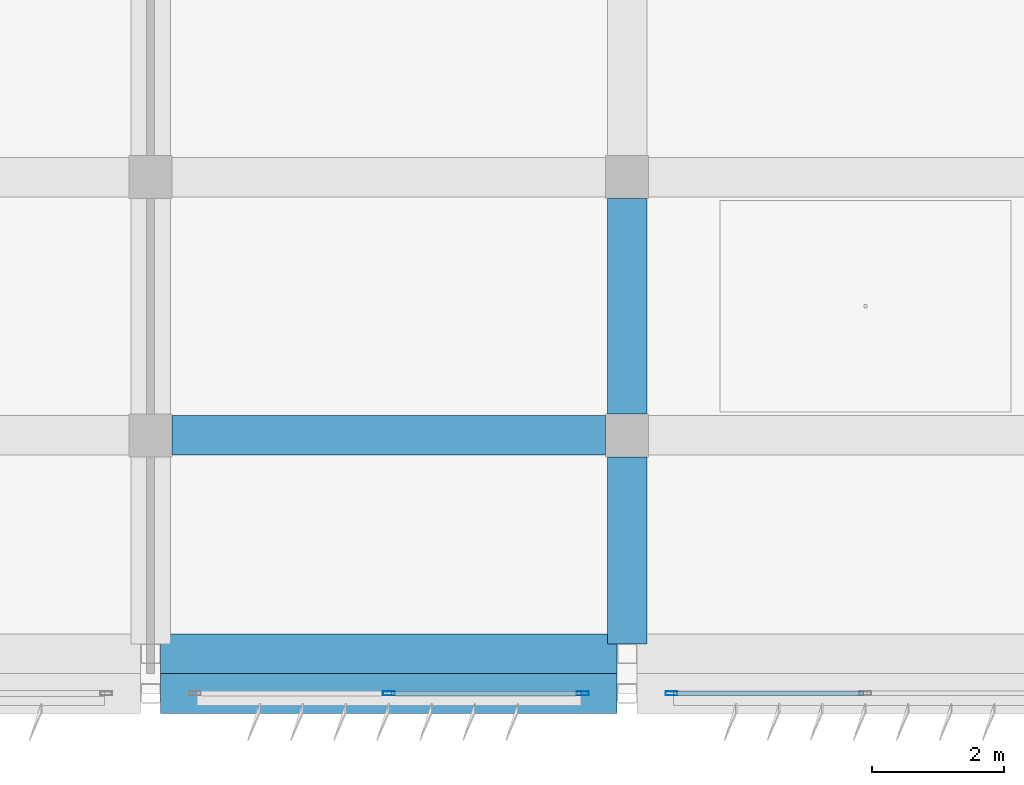
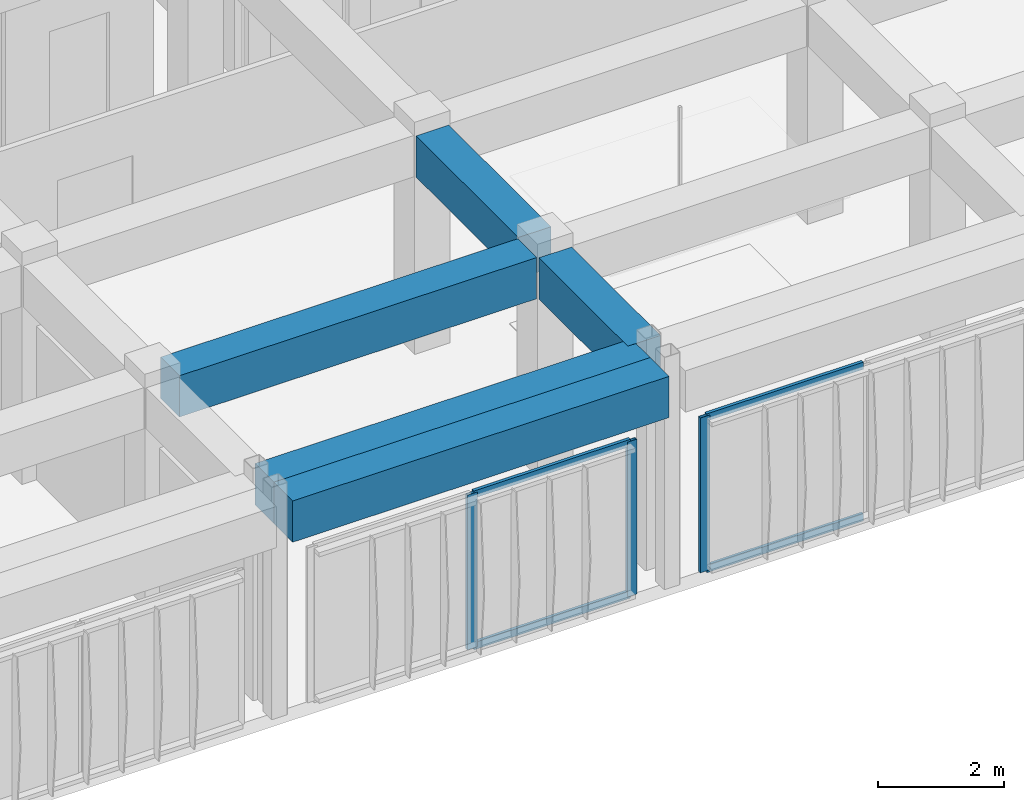
# One storey, part 9 of 56: 7 members, 5 beams, 2 elements without a shape of their own.
"""IFC4 building model written with IfcOpenShell, lengths in metres."""

from ifc_helpers import new_model, si_unit, direction, frame, origin, origin_2d, place, context, subcontext, project, spatial, rectangle, hollow_rectangle, extrude, material, material_profile, profile_set, type_object, element, aggregate, save


model = new_model("IFC4")

# Units and contexts
model_context = context("Model", 3, precision=1e-05, world=origin(), true_north=direction((0.0, 1.0)))
body_context = subcontext(model_context, "Body", "Model", "MODEL_VIEW")
ifc_project = project(units=[si_unit("LENGTHUNIT", "METRE"), si_unit("AREAUNIT", "SQUARE_METRE"), si_unit("VOLUMEUNIT", "CUBIC_METRE"), si_unit("PLANEANGLEUNIT", "RADIAN"), si_unit("MASSUNIT", "GRAM", prefix="KILO")], contexts=[model_context])

# Site, building, storey
site_placement = place(None, origin())
site = spatial("IfcSite", under=ifc_project, at=site_placement, CompositionType="ELEMENT")
building_placement = place(site_placement, origin())
building = spatial("IfcBuilding", under=site, at=building_placement, Name="Kazehaya Institute of Natural Sciences", CompositionType="ELEMENT")
storey_placement = place(building_placement, frame((0.0, 0.0, 28.800048828125)))
storey = spatial("IfcBuildingStorey", under=building, at=storey_placement, Name="L06", CompositionType="ELEMENT", Elevation=28.800048828125)

# Beams
ifc_material_1 = material(Name="Concrete Fc36", Category="concrete")
ifc_material_profile_1 = material_profile(ifc_material_1, rectangle(XDim=0.60009765625, YDim=0.800048828125, at=origin_2d()), Name="RC-600x800")
ifc_profile_set_1 = profile_set([ifc_material_profile_1], Name="Concrete Fc36")
beam_type = type_object("IfcBeamType", Name="BM-G-600x800", PredefinedType="BEAM", material=ifc_profile_set_1)
for number, where, z_axis, x_axis, name in (
    (1, (76.35009765625, 6.199951171875, 3.829833984375), (1.0, 0.0, 0.0), (0.0, 1.0, 0.0), "L06 primary X girder BMX-L06-762-62"),
    (2, (76.35009765625, 6.800048828125, 3.829833984375), (1.0, 0.0, 0.0), (0.0, 1.0, 0.0), "L06 primary X girder BMX-L06-762-68"),
):
    element("IfcBeam", number, at=place(storey_placement, frame(where, z_axis=z_axis, x_axis=x_axis)), inside=storey, type_object=beam_type, Name=name, PredefinedType="BEAM", context=body_context, shape_type="SweptSolid", body=[
        extrude(rectangle(XDim=0.60009765625, YDim=0.800048828125, at=origin_2d()), origin(), (0.0, 0.0, 1.0), 6.89990234375),
    ])
beam_1_placement = place(storey_placement, frame((76.52490234375, 10.10009765625, 3.829833984375), z_axis=(1.0, 0.0, 0.0), x_axis=(0.0, 1.0, 0.0)))
element("IfcBeam", 3, at=beam_1_placement, inside=storey, type_object=beam_type, Name="L06 primary X girder BMX-L06-762-101", PredefinedType="BEAM", context=body_context, shape_type="SweptSolid", body=[
    extrude(rectangle(XDim=0.60009765625, YDim=0.800048828125, at=origin_2d()), origin(), (0.0, 0.0, 1.0), 6.550048828125),
])
beam_2_placement = place(storey_placement, frame((83.39990234375, 6.949951171875, 3.829833984375), z_axis=(0.0, 1.0, 0.0), x_axis=(-1.0, 0.0, 0.0)))
element("IfcBeam", 4, at=beam_2_placement, inside=storey, type_object=beam_type, Name="L06 primary Y girder BMY-L06-834-68", PredefinedType="BEAM", context=body_context, shape_type="SweptSolid", body=[
    extrude(rectangle(XDim=0.60009765625, YDim=0.800048828125, at=origin_2d()), origin(), (0.0, 0.0, 1.0), 2.824951171875),
])
beam_3_placement = place(storey_placement, frame((83.39990234375, 10.425048828125, 3.829833984375), z_axis=(0.0, 1.0, 0.0), x_axis=(-1.0, 0.0, 0.0)))
element("IfcBeam", 5, at=beam_3_placement, inside=storey, type_object=beam_type, Name="L06 primary Y girder BMY-L06-834-101", PredefinedType="BEAM", context=body_context, shape_type="SweptSolid", body=[
    extrude(rectangle(XDim=0.60009765625, YDim=0.800048828125, at=origin_2d()), origin(), (0.0, 0.0, 1.0), 3.25),
])

# Curtain wall, member
ifc_material_2 = material(Name="Aluminium alloy A6063S-T5", Category="aluminium")
curtain_wall_type = type_object("IfcCurtainWallType", Name="CW-SYS-04", PredefinedType="NOTDEFINED", material=ifc_material_2)
curtain_wall_1_placement = place(storey_placement, origin())
curtain_wall_1 = element("IfcCurtainWall", 6, at=curtain_wall_1_placement, inside=storey, type_object=curtain_wall_type, Name="L06 unitised curtain wall CW-L06-124", PredefinedType="NOTDEFINED")
ifc_material_profile_2 = material_profile(ifc_material_2, hollow_rectangle(XDim=0.06005859375, YDim=0.179931640625, WallThickness=0.00390625, at=origin_2d()), Name="ALU-60x180x4")
ifc_profile_set_2 = profile_set([ifc_material_profile_2], Name="Aluminium alloy A6063S-T5")
member_type_1 = type_object("IfcMemberType", Name="CWM-180", PredefinedType="MULLION", material=ifc_profile_set_2)
member_1_placement = place(storey_placement, frame((84.070068359375, 6.199951171875, 0.0), z_axis=(0.0, 0.0, 1.0), x_axis=(0.0, -1.0, 0.0)))
member_1 = element("IfcMember", 7, at=member_1_placement, type_object=member_type_1, Name="CW04 mullion 3", PredefinedType="MULLION", context=body_context, shape_type="SweptSolid", body=[
    extrude(hollow_rectangle(XDim=0.06005859375, YDim=0.179931640625, WallThickness=0.00390625, at=origin_2d()), origin(), (0.0, 0.0, 1.0), 3.0),
])

# Curtain wall, members
curtain_wall_2_placement = place(storey_placement, origin())
curtain_wall_2 = element("IfcCurtainWall", 8, at=curtain_wall_2_placement, inside=storey, type_object=curtain_wall_type, Name="L06 unitised curtain wall CW-L06-125", PredefinedType="NOTDEFINED")
member_2_placement = place(storey_placement, frame((82.72998046875, 6.199951171875, 0.0), z_axis=(0.0, 0.0, 1.0), x_axis=(0.0, -1.0, 0.0)))
member_2 = element("IfcMember", 9, at=member_2_placement, type_object=member_type_1, Name="CW04 mullion 1", PredefinedType="MULLION", context=body_context, shape_type="SweptSolid", body=[
    extrude(hollow_rectangle(XDim=0.06005859375, YDim=0.179931640625, WallThickness=0.00390625, at=origin_2d()), origin(), (0.0, 0.0, 1.0), 3.0),
])
member_3_placement = place(storey_placement, frame((79.800048828125, 6.199951171875, 0.0), z_axis=(0.0, 0.0, 1.0), x_axis=(0.0, -1.0, 0.0)))
member_3 = element("IfcMember", 10, at=member_3_placement, type_object=member_type_1, Name="CW04 mullion 2", PredefinedType="MULLION", context=body_context, shape_type="SweptSolid", body=[
    extrude(hollow_rectangle(XDim=0.06005859375, YDim=0.179931640625, WallThickness=0.00390625, at=origin_2d()), origin(), (0.0, 0.0, 1.0), 3.0),
])

# Member
ifc_material_profile_3 = material_profile(ifc_material_2, hollow_rectangle(XDim=0.06005859375, YDim=0.139892578125, WallThickness=0.00341796875, at=origin_2d()), Name="ALU-60x140x3.5")
ifc_profile_set_3 = profile_set([ifc_material_profile_3], Name="Aluminium alloy A6063S-T5")
member_type_2 = type_object("IfcMemberType", Name="CWT-140", PredefinedType="USERDEFINED", material=ifc_profile_set_3)
member_4_placement = place(storey_placement, frame((86.969970703125, 6.199951171875, 0.030029296875), z_axis=(-1.0, 0.0, 0.0), x_axis=(0.0, -1.0, 0.0)))
member_4 = element("IfcMember", 11, at=member_4_placement, type_object=member_type_2, Name="CW04 transom 2.1", ObjectType="TRANSOM", PredefinedType="USERDEFINED", context=body_context, shape_type="SweptSolid", body=[
    extrude(hollow_rectangle(XDim=0.06005859375, YDim=0.139892578125, WallThickness=0.00341796875, at=origin_2d()), origin(), (0.0, 0.0, 1.0), 2.869873046875),
])

member_5_placement = place(storey_placement, frame((86.969970703125, 6.199951171875, 2.969970703125), z_axis=(-1.0, 0.0, 0.0), x_axis=(0.0, -1.0, 0.0)))
member_5 = element("IfcMember", 12, at=member_5_placement, type_object=member_type_2, Name="CW04 transom 2.2", ObjectType="TRANSOM", PredefinedType="USERDEFINED", context=body_context, shape_type="SweptSolid", body=[
    extrude(hollow_rectangle(XDim=0.06005859375, YDim=0.139892578125, WallThickness=0.00341796875, at=origin_2d()), origin(), (0.0, 0.0, 1.0), 2.869873046875),
])

aggregate(curtain_wall_1, [member_1, member_4, member_5])

member_6_placement = place(storey_placement, frame((82.699951171875, 6.199951171875, 0.030029296875), z_axis=(-1.0, 0.0, 0.0), x_axis=(0.0, -1.0, 0.0)))
member_6 = element("IfcMember", 13, at=member_6_placement, type_object=member_type_2, Name="CW04 transom 1.1", ObjectType="TRANSOM", PredefinedType="USERDEFINED", context=body_context, shape_type="SweptSolid", body=[
    extrude(hollow_rectangle(XDim=0.06005859375, YDim=0.139892578125, WallThickness=0.00341796875, at=origin_2d()), origin(), (0.0, 0.0, 1.0), 2.869873046875),
])

member_7_placement = place(storey_placement, frame((82.699951171875, 6.199951171875, 2.969970703125), z_axis=(-1.0, 0.0, 0.0), x_axis=(0.0, -1.0, 0.0)))
member_7 = element("IfcMember", 14, at=member_7_placement, type_object=member_type_2, Name="CW04 transom 1.2", ObjectType="TRANSOM", PredefinedType="USERDEFINED", context=body_context, shape_type="SweptSolid", body=[
    extrude(hollow_rectangle(XDim=0.06005859375, YDim=0.139892578125, WallThickness=0.00341796875, at=origin_2d()), origin(), (0.0, 0.0, 1.0), 2.869873046875),
])

aggregate(curtain_wall_2, [member_2, member_3, member_6, member_7])

save(model, "model.ifc")
